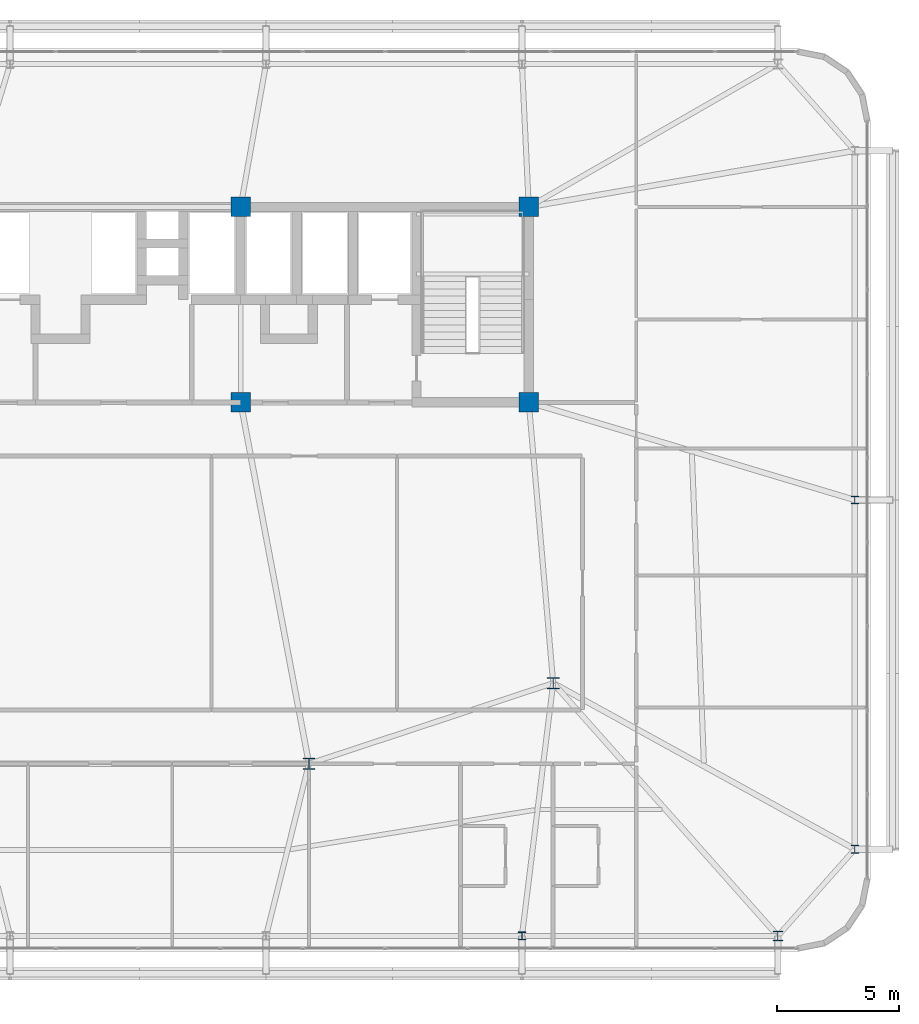
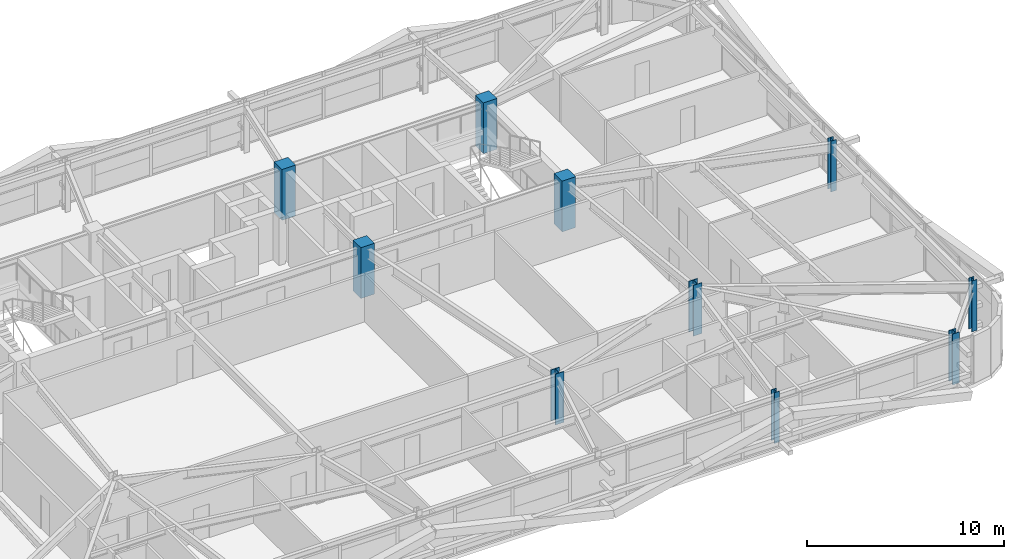
# One storey, part 2 of 58: 10 columns.
"""IFC4 building model written with IfcOpenShell, lengths in metres."""

from ifc_helpers import new_model, si_unit, direction, frame, origin, origin_2d, place, context, subcontext, project, spatial, rectangle, i_section, extrude, source, transform, mapped, material, material_profile, profile_set, type_object, element, save


model = new_model("IFC4")

# Units and contexts
model_context = context("Model", 3, precision=1e-05, world=origin(), true_north=direction((0.0, 1.0)))
body_context = subcontext(model_context, "Body", "Model", "MODEL_VIEW")
ifc_project = project(units=[si_unit("LENGTHUNIT", "METRE"), si_unit("AREAUNIT", "SQUARE_METRE"), si_unit("VOLUMEUNIT", "CUBIC_METRE"), si_unit("PLANEANGLEUNIT", "RADIAN"), si_unit("MASSUNIT", "GRAM", prefix="KILO")], contexts=[model_context])

# Site, building, storey
site_placement = place(None, origin())
site = spatial("IfcSite", under=ifc_project, at=site_placement, CompositionType="ELEMENT")
building_placement = place(site_placement, origin())
building = spatial("IfcBuilding", under=site, at=building_placement, Name="Taldren Reach Tower", CompositionType="ELEMENT")
storey_placement = place(building_placement, frame((0.0, 0.0, 51.449951171875)))
storey = spatial("IfcBuildingStorey", under=building, at=storey_placement, Name="L15", CompositionType="ELEMENT", Elevation=51.449951171875)

# Columns
ifc_material_1 = material(Name="Concrete S65 (65 MPa)", Category="concrete")
ifc_material_profile_1 = material_profile(ifc_material_1, rectangle(XDim=0.800048828125, YDim=0.800048828125, at=origin_2d()), Name="RC-800x800")
ifc_profile_set_1 = profile_set([ifc_material_profile_1], Name="Concrete S65 (65 MPa)")
column_type_1 = type_object("IfcColumnType", Name="COL-RC800", PredefinedType="COLUMN", material=ifc_profile_set_1)
shared_shape_1 = source(origin(), body_context, "Body", "SweptSolid", [
    extrude(rectangle(XDim=0.800048828125, YDim=0.800048828125, at=origin_2d()), origin(), (0.0, 0.0, 1.0), 3.150146484375),
])
for number, where, z_axis, x_axis, name in (
    (1, (39.199951171875, 24.0, 0.0), (0.0, 0.0, 1.0), (1.0, 0.0, 0.0), "Mega column MC-C3 L15"),
    (2, (51.0, 24.0, 0.0), (0.0, 0.0, 1.0), (1.0, 0.0, 0.0), "Mega column MC-C4 L15"),
    (3, (39.199951171875, 32.0, 0.0), (0.0, 0.0, 1.0), (1.0, 0.0, 0.0), "Mega column MC-C7 L15"),
    (4, (51.0, 32.0, 0.0), (0.0, 0.0, 1.0), (1.0, 0.0, 0.0), "Mega column MC-C8 L15"),
):
    element("IfcColumn", number, at=place(storey_placement, frame(where, z_axis=z_axis, x_axis=x_axis)), inside=storey, type_object=column_type_1, Name=name, PredefinedType="COLUMN", context=body_context, shape_type="MappedRepresentation", body=[
        mapped(shared_shape_1, transform((0.0, 0.0, 0.0), scale=1.0)),
    ])
ifc_material_2 = material(Name="Steel Gr 350 (350PLUS)", Category="steel")
ifc_material_profile_2 = material_profile(ifc_material_2, i_section(OverallWidth=0.5, OverallDepth=0.47998046875, WebThickness=0.028076171875, FlangeThickness=0.0439453125, at=origin_2d()), Name="500WC440")
ifc_profile_set_2 = profile_set([ifc_material_profile_2], Name="Steel Gr 350 (350PLUS)")
column_type_2 = type_object("IfcColumnType", Name="COL-WC500A", PredefinedType="COLUMN", material=ifc_profile_set_2)
shared_shape_2 = source(origin(), body_context, "Body", "SweptSolid", [
    extrude(i_section(OverallWidth=0.5, OverallDepth=0.47998046875, WebThickness=0.028076171875, FlangeThickness=0.0439453125, at=origin_2d()), origin(), (0.0, 0.0, 1.0), 3.150146484375),
])
column_1_placement = place(storey_placement, frame((42.0, 9.199951171875, 0.0), z_axis=(0.0, 0.0, 1.0), x_axis=(1.0, 0.0, 0.0)))
element("IfcColumn", 5, at=column_1_placement, inside=storey, type_object=column_type_2, Name="Mega column MC-PJE L15", PredefinedType="COLUMN", context=body_context, shape_type="MappedRepresentation", body=[
    mapped(shared_shape_2, transform((0.0, 0.0, 0.0), scale=1.0)),
])
ifc_material_profile_3 = material_profile(ifc_material_2, i_section(OverallWidth=0.39990234375, OverallDepth=0.39599609375, WebThickness=0.02197265625, FlangeThickness=0.033935546875, at=origin_2d()), Name="400WC270")
ifc_profile_set_3 = profile_set([ifc_material_profile_3], Name="Steel Gr 350 (350PLUS)")
column_type_3 = type_object("IfcColumnType", Name="COL-WC400", PredefinedType="COLUMN", material=ifc_profile_set_3)
shared_shape_3 = source(origin(), body_context, "Body", "SweptSolid", [
    extrude(i_section(OverallWidth=0.39990234375, OverallDepth=0.39599609375, WebThickness=0.02197265625, FlangeThickness=0.033935546875, at=origin_2d()), origin(), (0.0, 0.0, 1.0), 3.150146484375),
])
column_2_placement = place(storey_placement, frame((61.199951171875, 2.14990234375, 0.0), z_axis=(0.0, 0.0, 1.0), x_axis=(1.0, 0.0, 0.0)))
element("IfcColumn", 6, at=column_2_placement, inside=storey, type_object=column_type_3, Name="Block B1 perimeter column S6 L15", PredefinedType="COLUMN", context=body_context, shape_type="MappedRepresentation", body=[
    mapped(shared_shape_3, transform((0.0, 0.0, 0.0), scale=1.0)),
])
ifc_material_profile_4 = material_profile(ifc_material_2, i_section(OverallWidth=0.31103515625, OverallDepth=0.326904296875, WebThickness=0.015625, FlangeThickness=0.02490234375, at=origin_2d()), Name="310UC158")
ifc_profile_set_4 = profile_set([ifc_material_profile_4], Name="Steel Gr 350 (350PLUS)")
column_type_4 = type_object("IfcColumnType", Name="COL-UC310A", PredefinedType="COLUMN", material=ifc_profile_set_4)
shared_shape_4 = source(origin(), body_context, "Body", "SweptSolid", [
    extrude(i_section(OverallWidth=0.31103515625, OverallDepth=0.326904296875, WebThickness=0.015625, FlangeThickness=0.02490234375, at=origin_2d()), origin(), (0.0, 0.0, 1.0), 3.150146484375),
])
for number, where, z_axis, x_axis, name in (
    (7, (50.719970703125, 2.14990234375, 0.0), (0.0, 0.0, 1.0), (1.0, 0.0, 0.0), "Block B1 perimeter column S5 L15"),
    (8, (64.35009765625, 5.699951171875, 0.0), (0.0, 0.0, 1.0), (1.0, 0.0, 0.0), "Block B1 perimeter column E1 L15"),
    (9, (64.35009765625, 20.0, 0.0), (0.0, 0.0, 1.0), (1.0, 0.0, 0.0), "Block B1 perimeter column E2 L15"),
):
    element("IfcColumn", number, at=place(storey_placement, frame(where, z_axis=z_axis, x_axis=x_axis)), inside=storey, type_object=column_type_4, Name=name, PredefinedType="COLUMN", context=body_context, shape_type="MappedRepresentation", body=[
        mapped(shared_shape_4, transform((0.0, 0.0, 0.0), scale=1.0)),
    ])
ifc_material_profile_5 = material_profile(ifc_material_2, i_section(OverallWidth=0.5, OverallDepth=0.464111328125, WebThickness=0.02197265625, FlangeThickness=0.033935546875, at=origin_2d()), Name="500WC340")
ifc_profile_set_5 = profile_set([ifc_material_profile_5], Name="Steel Gr 350 (350PLUS)")
column_type_5 = type_object("IfcColumnType", Name="COL-WC500B", PredefinedType="COLUMN", material=ifc_profile_set_5)
shared_shape_5 = source(origin(), body_context, "Body", "SweptSolid", [
    extrude(i_section(OverallWidth=0.5, OverallDepth=0.464111328125, WebThickness=0.02197265625, FlangeThickness=0.033935546875, at=origin_2d()), origin(), (0.0, 0.0, 1.0), 3.150146484375),
])
column_3_placement = place(storey_placement, frame((52.0, 12.5, 0.0), z_axis=(0.0, 0.0, 1.0), x_axis=(1.0, 0.0, 0.0)))
element("IfcColumn", 10, at=column_3_placement, inside=storey, type_object=column_type_5, Name="Mega column MC-SE L15", PredefinedType="COLUMN", context=body_context, shape_type="MappedRepresentation", body=[
    mapped(shared_shape_5, transform((0.0, 0.0, 0.0), scale=1.0)),
])

save(model, "model.ifc")
